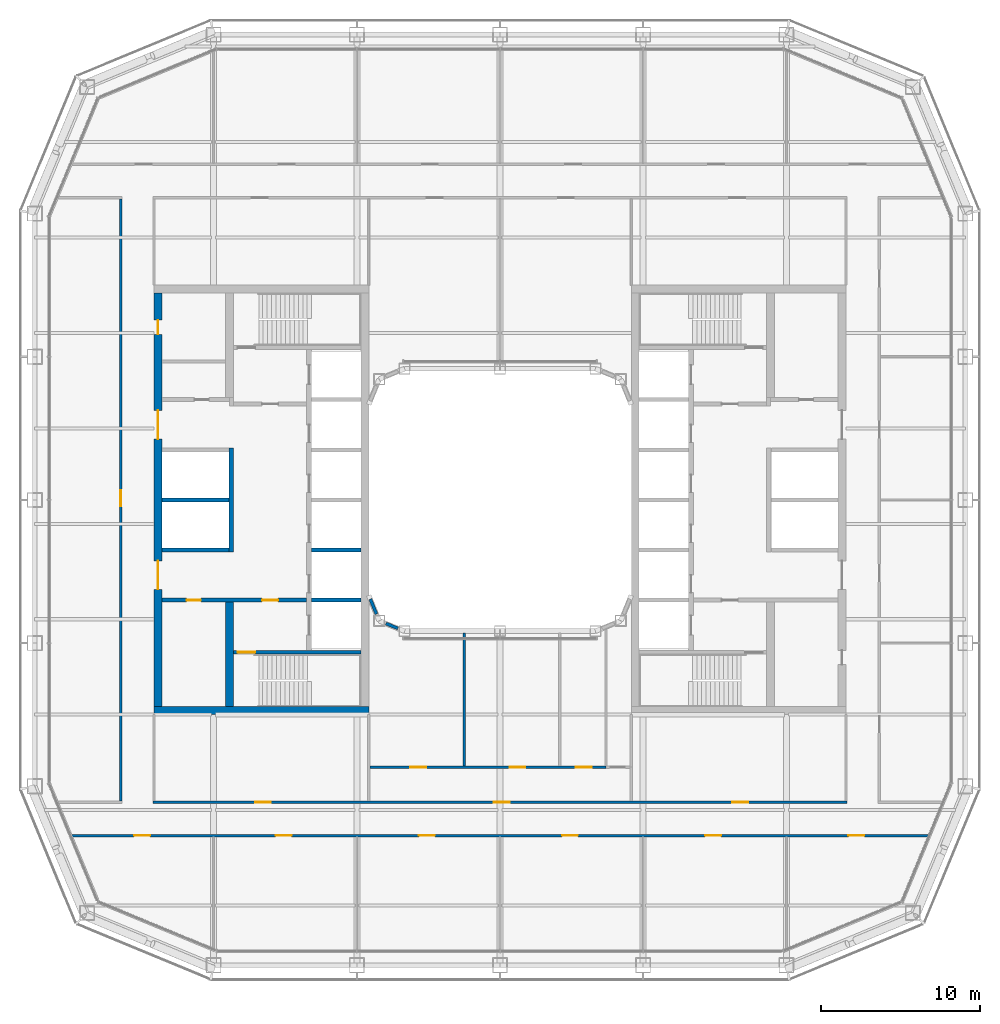
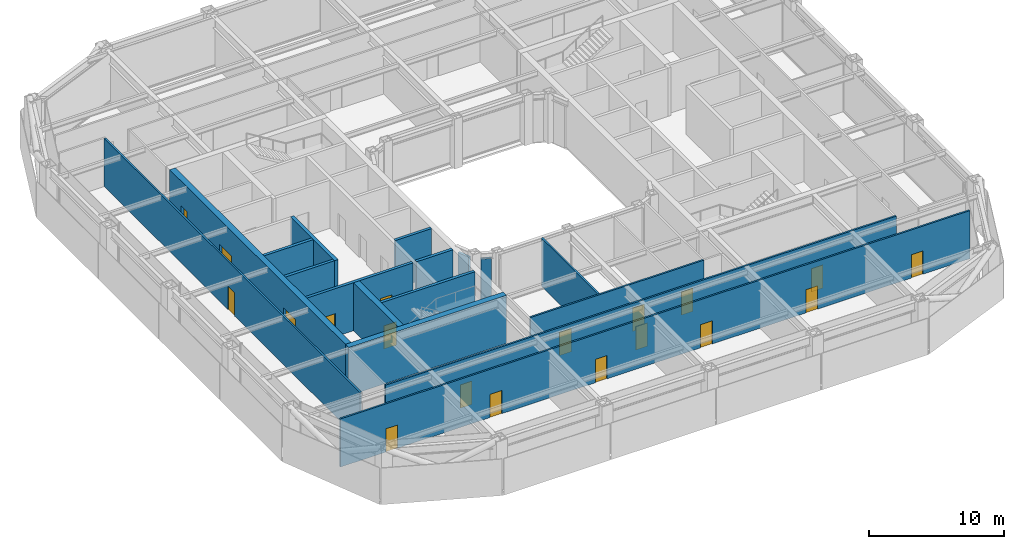
# One storey, part 11 of 21: 19 doors, 17 walls, 19 openings.
"""IFC4 building model written with IfcOpenShell, lengths in metres."""

import ifcopenshell
import ifcopenshell.guid

model = None  # the IFC model being written
_history = None  # IfcOwnerHistory: only IFC2X3 demands one
_inside = {}  # id of a spatial element -> (the spatial element, [elements in it])
_under = {}  # id of a project, library or spatial element -> (it, [spatial elements below it])
_declared = {}  # id of a project -> (the project, [libraries it declares])
_typed = {}  # id of a type object -> (the type object, [elements of that type])
_made_of = {}  # id of a material, layer set ... -> (it, [elements and type objects made of it])


def new_model(schema):
    """Start an empty IFC model of exactly this schema.

    Asked for "IFC4X3", IfcOpenShell would pick the latest addendum, in which some entities
    have other attributes; the version numbers below select the first issue.
    IFC2X3 requires an IfcOwnerHistory on every rooted entity: one is made here for all.
    """
    global model, _history
    if schema == "IFC4X3":
        model = ifcopenshell.file(schema_version=(4, 3, 0, 0))
    else:
        model = ifcopenshell.file(schema=schema)
    _inside.clear()
    _under.clear()
    _declared.clear()
    _typed.clear()
    _made_of.clear()
    _history = None
    if model.schema == "IFC2X3":
        org = make("IfcOrganization", Name="unknown")
        user = make(
            "IfcPersonAndOrganization",
            ThePerson=make("IfcPerson", FamilyName="unknown"),
            TheOrganization=org,
        )
        app = make(
            "IfcApplication",
            ApplicationDeveloper=org,
            Version="unknown",
            ApplicationFullName="unknown",
            ApplicationIdentifier="unknown",
        )
        _history = make(
            "IfcOwnerHistory",
            OwningUser=user,
            OwningApplication=app,
            ChangeAction="ADDED",
            CreationDate=0,
        )
    return model


def make(cls, **values):
    """One entity of the class cls with the attributes given. An attribute that is None is left unset."""
    return model.create_entity(
        cls, **{name: value for name, value in values.items() if value is not None}
    )


def rooted(cls, **values):
    """An entity with a GlobalId (a new one), such as an element, a storey or a relation."""
    return make(cls, GlobalId=ifcopenshell.guid.new(), OwnerHistory=_history, **values)


def si_unit(unit_type, name, prefix=None):
    """IfcSIUnit, for example si_unit("LENGTHUNIT", "METRE", prefix="MILLI")."""
    return make("IfcSIUnit", UnitType=unit_type, Prefix=prefix, Name=name)


def assignment(units):
    """IfcUnitAssignment: the units of a project."""
    return None if units is None else make("IfcUnitAssignment", Units=units)


def point(xyz):
    """IfcCartesianPoint."""
    return None if xyz is None else make("IfcCartesianPoint", Coordinates=xyz)


def direction(xyz):
    """IfcDirection."""
    return None if xyz is None else make("IfcDirection", DirectionRatios=xyz)


def frame(location, z_axis=None, x_axis=None):
    """IfcAxis2Placement3D, a coordinate frame: its origin and axes. An axis left out is left unset."""
    return make(
        "IfcAxis2Placement3D",
        Location=point(location),
        Axis=direction(z_axis),
        RefDirection=direction(x_axis),
    )


def frame_2d(location, x_axis=None):
    """IfcAxis2Placement2D, a coordinate frame in the plane: its origin and x axis."""
    return make(
        "IfcAxis2Placement2D", Location=point(location), RefDirection=direction(x_axis)
    )


def origin():
    """The frame at (0, 0, 0) with its axes left unset."""
    return frame((0.0, 0.0, 0.0))


def place(relative_to, where):
    """IfcLocalPlacement: puts the frame where relative to a parent placement (None: the world)."""
    return make(
        "IfcLocalPlacement", PlacementRelTo=relative_to, RelativePlacement=where
    )


def context(
    kind, dimensions, precision=None, world=None, true_north=None, identifier=None
):
    """IfcGeometricRepresentationContext, for example the 3D "Model" context."""
    return make(
        "IfcGeometricRepresentationContext",
        ContextIdentifier=identifier,
        ContextType=kind,
        CoordinateSpaceDimension=dimensions,
        Precision=precision,
        WorldCoordinateSystem=world,
        TrueNorth=true_north,
    )


def subcontext(parent, identifier, kind, view, scale=None):
    """IfcGeometricRepresentationSubContext, for example "Body" below "Model"."""
    return make(
        "IfcGeometricRepresentationSubContext",
        ContextIdentifier=identifier,
        ContextType=kind,
        ParentContext=parent,
        TargetScale=scale,
        TargetView=view,
    )


def project(units=None, contexts=None):
    """IfcProject with its units and contexts."""
    return rooted(
        "IfcProject",
        Name="project",
        RepresentationContexts=contexts,
        UnitsInContext=assignment(units),
    )


def spatial(cls, under=None, at=None, **own):
    """A site, building, storey or space (cls), placed at a placement, below another one or the project."""
    s = rooted(cls, ObjectPlacement=at, **own)
    if under is not None:
        _under.setdefault(under.id(), (under, []))[1].append(s)
    return s


def profile(cls, at=None, kind="AREA", **sizes):
    """A parametric profile (cls). Its sizes go by their IFC names, for example OverallWidth=200.0."""
    return make(cls, ProfileType=kind, Position=at, **sizes)


def rectangle(**sizes):
    """IfcRectangleProfileDef."""
    return profile("IfcRectangleProfileDef", **sizes)


def extrude(swept, where, along, depth):
    """IfcExtrudedAreaSolid: the profile swept, set in the frame where, extruded along a direction by depth."""
    return make(
        "IfcExtrudedAreaSolid",
        SweptArea=swept,
        Position=where,
        ExtrudedDirection=direction(along),
        Depth=depth,
    )


def shape(context_of_items, identifier, shape_type, items):
    """IfcShapeRepresentation: the items that make up one representation, for example the "Body"."""
    return make(
        "IfcShapeRepresentation",
        ContextOfItems=context_of_items,
        RepresentationIdentifier=identifier,
        RepresentationType=shape_type,
        Items=items,
    )


def material(Name=None, Category=None):
    """IfcMaterial."""
    return make("IfcMaterial", Name=Name, Category=Category)


def layer(
    of_material, thickness, ventilated=None, Name=None, Category=None, Priority=None
):
    """IfcMaterialLayer: one layer of a wall or slab, of a material (None: an air gap)."""
    return make(
        "IfcMaterialLayer",
        Material=of_material,
        LayerThickness=thickness,
        IsVentilated=ventilated,
        Name=Name,
        Category=Category,
        Priority=Priority,
    )


def layer_set(layers, Name=None):
    """IfcMaterialLayerSet."""
    return make("IfcMaterialLayerSet", MaterialLayers=layers, LayerSetName=Name)


def made_of(thing, what):
    """Note that an element or type object is made of a material, layer set ...; save() writes the relation."""
    if what is not None:
        _made_of.setdefault(what.id(), (what, []))[1].append(thing)
    return thing


def type_object(cls, material=None, **own):
    """A type object (cls), such as IfcWallType, which elements share."""
    return made_of(rooted(cls, **own), material)


def element(
    cls,
    number,
    at=None,
    inside=None,
    cuts=None,
    type_object=None,
    material=None,
    context=None,
    identifier="Body",
    shape_type=None,
    held_by="IfcProductDefinitionShape",
    body=None,
    shapes=None,
    **own,
):
    """One element of the class cls, such as IfcWall. Its Tag is "e" and its number.

    at: its placement. inside: the storey or other place that contains it. cuts: it is an
    opening in that element (IfcRelVoidsElement). A single representation is given by context,
    identifier, shape_type and body (its items); several are given by shapes. held_by: the class
    of the entity that holds the representations. save() writes the other relations.
    """
    e = rooted(cls, Tag="e%d" % number, ObjectPlacement=at, **own)
    if body is not None:
        shapes = [shape(context, identifier, shape_type, body)]
    if shapes is not None:
        e.Representation = make(held_by, Representations=shapes)
    if inside is not None:
        _inside.setdefault(inside.id(), (inside, []))[1].append(e)
    if cuts is not None:
        rooted(
            "IfcRelVoidsElement", RelatingBuildingElement=cuts, RelatedOpeningElement=e
        )
    if type_object is not None:
        _typed.setdefault(type_object.id(), (type_object, []))[1].append(e)
    return made_of(e, material)


def fill(opening, filler):
    """IfcRelFillsElement: the door or window that sits in an opening."""
    return rooted(
        "IfcRelFillsElement",
        RelatingOpeningElement=opening,
        RelatedBuildingElement=filler,
    )


def aggregate(whole, parts):
    """IfcRelAggregates: a whole, such as a stair, and the parts it consists of."""
    return rooted("IfcRelAggregates", RelatingObject=whole, RelatedObjects=parts)


def save(model, path):
    """Write the relations noted so far, then the file.

    IfcRelAggregates (storeys below a building ...), IfcRelContainedInSpatialStructure (elements
    in a storey), IfcRelDefinesByType, IfcRelAssociatesMaterial and IfcRelDeclares: one each for
    every whole, place, type object, material and project.
    """
    for whole, parts in _under.values():
        aggregate(whole, parts)
    for where, things in _inside.values():
        rooted(
            "IfcRelContainedInSpatialStructure",
            RelatedElements=things,
            RelatingStructure=where,
        )
    for kind, things in _typed.values():
        rooted("IfcRelDefinesByType", RelatedObjects=things, RelatingType=kind)
    for what, things in _made_of.values():
        rooted("IfcRelAssociatesMaterial", RelatedObjects=things, RelatingMaterial=what)
    for by, libraries in _declared.values():
        rooted("IfcRelDeclares", RelatingContext=by, RelatedDefinitions=libraries)
    model.write(path)


model = new_model("IFC4")

# Units and contexts
model_context = context("Model", 3, precision=1e-05, world=origin(), true_north=direction((0.0, 1.0)))
body_context = subcontext(model_context, "Body", "Model", "MODEL_VIEW")
ifc_project = project(units=[si_unit("LENGTHUNIT", "METRE"), si_unit("AREAUNIT", "SQUARE_METRE"), si_unit("VOLUMEUNIT", "CUBIC_METRE"), si_unit("PLANEANGLEUNIT", "RADIAN"), si_unit("MASSUNIT", "GRAM", prefix="KILO")], contexts=[model_context])

# Site, building, storey
site_placement = place(None, origin())
site = spatial("IfcSite", under=ifc_project, at=site_placement, CompositionType="ELEMENT")
building_placement = place(site_placement, origin())
building = spatial("IfcBuilding", under=site, at=building_placement, Name="Siwar Civic Tower", CompositionType="ELEMENT")
storey_placement = place(building_placement, frame((0.0, 0.0, 140.699951171875)))
storey = spatial("IfcBuildingStorey", under=building, at=storey_placement, Name="L30", CompositionType="ELEMENT", Elevation=140.699951171875)

# Wall, openings, doors
ifc_material_1 = material(Name="Concrete C60/75", Category="concrete")
ifc_layer_1 = layer(ifc_material_1, 0.25)
ifc_layer_set_1 = layer_set([ifc_layer_1], Name="Concrete C60/75")
wall_type_1 = type_object("IfcWallType", Name="CORE-WALL-RC250", PredefinedType="SHEAR", material=ifc_layer_set_1)
wall_1_placement = place(storey_placement, frame((-12.14990234375, -6.300048828125, 0.0), z_axis=(0.0, 0.0, 1.0), x_axis=(-1.0, 0.0, 0.0)))
wall_1 = element("IfcWall", 1, at=wall_1_placement, inside=storey, type_object=wall_type_1, Name="Core wall W", PredefinedType="SHEAR", context=body_context, shape_type="SweptSolid", body=[
    extrude(rectangle(XDim=9.10009765625, YDim=0.25, at=frame_2d((4.550048828125, 0.0))), origin(), (0.0, 0.0, 1.0), 4.35009765625),
])
opening_1_placement = place(wall_1_placement, frame((1.800048828125, 0.0, 0.0)))
opening_1 = element("IfcOpeningElement", 2, at=opening_1_placement, cuts=wall_1, Name="Opening L30-CW02", PredefinedType="OPENING", context=body_context, shape_type="SweptSolid", body=[
    extrude(rectangle(XDim=1.0, YDim=2.10009765625, at=frame_2d((0.5, 1.050048828125))), frame((0.0, 0.135009765625, 0.0), z_axis=(0.0, -1.0, 0.0), x_axis=(1.0, 0.0, 0.0)), (0.0, 0.0, 1.0), 0.27001953125),
])
opening_2_placement = place(wall_1_placement, frame((6.64990234375, 0.0, 0.0)))
opening_2 = element("IfcOpeningElement", 3, at=opening_2_placement, cuts=wall_1, Name="Opening L30-CW15", PredefinedType="OPENING", context=body_context, shape_type="SweptSolid", body=[
    extrude(rectangle(XDim=0.89990234375, YDim=2.10009765625, at=frame_2d((0.449951171875, 1.050048828125))), frame((0.0, 0.135009765625, 0.0), z_axis=(0.0, -1.0, 0.0), x_axis=(1.0, 0.0, 0.0)), (0.0, 0.0, 1.0), 0.27001953125),
])
ifc_material_2 = material(Name="Steel door leaf", Category="steel")
door_type_1 = type_object("IfcDoorType", Name="CORE-DOOR-FD30S", OperationType="SINGLE_SWING_LEFT", PredefinedType="DOOR", material=ifc_material_2)
door_1_placement = place(opening_1_placement, origin())
door_1 = element("IfcDoor", 4, at=door_1_placement, inside=storey, type_object=door_type_1, Name="Service lobby door L30-CW02", OperationType="SINGLE_SWING_RIGHT", OverallHeight=2.10009765625, OverallWidth=1.0, PredefinedType="DOOR", context=body_context, shape_type="SweptSolid", body=[
    extrude(rectangle(XDim=1.0, YDim=2.10009765625, at=frame_2d((0.5, 1.050048828125))), frame((0.0, 0.02490234375, 0.0), z_axis=(0.0, -1.0, 0.0), x_axis=(1.0, 0.0, 0.0)), (0.0, 0.0, 1.0), 0.050048828125),
])
fill(opening_1, door_1)
ifc_material_3 = material(Name="Steel door leaf", Category="steel")
door_type_2 = type_object("IfcDoorType", Name="CORE-DOOR-ROOM", OperationType="SINGLE_SWING_LEFT", PredefinedType="DOOR", material=ifc_material_3)
door_2_placement = place(opening_2_placement, origin())
door_2 = element("IfcDoor", 5, at=door_2_placement, inside=storey, type_object=door_type_2, Name="Core room door L30-CW15", OperationType="SINGLE_SWING_RIGHT", OverallHeight=2.10009765625, OverallWidth=0.89990234375, PredefinedType="DOOR", context=body_context, shape_type="SweptSolid", body=[
    extrude(rectangle(XDim=0.89990234375, YDim=2.10009765625, at=frame_2d((0.449951171875, 1.050048828125))), frame((0.0, 0.02490234375, 0.0), z_axis=(0.0, -1.0, 0.0), x_axis=(1.0, 0.0, 0.0)), (0.0, 0.0, 1.0), 0.050048828125),
])
fill(opening_2, door_2)

# Walls
for number, where, z_axis, x_axis, name in (
    (6, (-17.050048828125, 0.0, 0.0), (0.0, 0.0, 1.0), (-1.0, 0.0, 0.0), "Core wall W"),
    (7, (-17.050048828125, -3.14990234375, 0.0), (0.0, 0.0, 1.0), (-1.0, 0.0, 0.0), "Core wall W"),
):
    element("IfcWall", number, at=place(storey_placement, frame(where, z_axis=z_axis, x_axis=x_axis)), inside=storey, type_object=wall_type_1, Name=name, PredefinedType="SHEAR", context=body_context, shape_type="SweptSolid", body=[
        extrude(rectangle(XDim=4.199951171875, YDim=0.25, at=frame_2d((2.10009765625, 0.0))), origin(), (0.0, 0.0, 1.0), 4.35009765625),
    ])
for number, where, z_axis, x_axis, name in (
    (8, (-8.75, -3.14990234375, 0.0), (0.0, 0.0, 1.0), (-1.0, 0.0, 0.0), "Core wall W"),
    (9, (-8.75, -6.300048828125, 0.0), (0.0, 0.0, 1.0), (-1.0, 0.0, 0.0), "Core wall W"),
):
    element("IfcWall", number, at=place(storey_placement, frame(where, z_axis=z_axis, x_axis=x_axis)), inside=storey, type_object=wall_type_1, Name=name, PredefinedType="SHEAR", context=body_context, shape_type="SweptSolid", body=[
        extrude(rectangle(XDim=3.10009765625, YDim=0.25, at=frame_2d((1.550048828125, 0.0))), origin(), (0.0, 0.0, 1.0), 4.35009765625),
    ])

# Wall, opening, door
wall_2_placement = place(storey_placement, frame((-8.75, -9.574951171875, 0.0), z_axis=(0.0, 0.0, 1.0), x_axis=(-1.0, 0.0, 0.0)))
wall_2 = element("IfcWall", 10, at=wall_2_placement, inside=storey, type_object=wall_type_1, Name="Core wall W", PredefinedType="SHEAR", context=body_context, shape_type="SweptSolid", body=[
    extrude(rectangle(XDim=8.0, YDim=0.25, at=frame_2d((4.0, 0.0))), origin(), (0.0, 0.0, 1.0), 4.35009765625),
])
opening_3_placement = place(wall_2_placement, frame((6.64990234375, 0.0, 0.0)))
opening_3 = element("IfcOpeningElement", 11, at=opening_3_placement, cuts=wall_2, Name="Opening L30-CW04", PredefinedType="OPENING", context=body_context, shape_type="SweptSolid", body=[
    extrude(rectangle(XDim=1.10009765625, YDim=2.10009765625, at=frame_2d((0.550048828125, 1.050048828125))), frame((0.0, 0.135009765625, 0.0), z_axis=(0.0, -1.0, 0.0), x_axis=(1.0, 0.0, 0.0)), (0.0, 0.0, 1.0), 0.27001953125),
])
ifc_material_4 = material(Name="Steel door leaf", Category="steel")
door_type_3 = type_object("IfcDoorType", Name="CORE-DOOR-FD60S", OperationType="SINGLE_SWING_LEFT", PredefinedType="DOOR", material=ifc_material_4)
door_3_placement = place(opening_3_placement, origin())
door_3 = element("IfcDoor", 12, at=door_3_placement, inside=storey, type_object=door_type_3, Name="Stair door L30-CW04", OperationType="SINGLE_SWING_LEFT", OverallHeight=2.10009765625, OverallWidth=1.10009765625, PredefinedType="DOOR", context=body_context, shape_type="SweptSolid", body=[
    extrude(rectangle(XDim=1.10009765625, YDim=2.10009765625, at=frame_2d((0.550048828125, 1.050048828125))), frame((0.0, 0.02490234375, 0.0), z_axis=(0.0, -1.0, 0.0), x_axis=(1.0, 0.0, 0.0)), (0.0, 0.0, 1.0), 0.050048828125),
])
fill(opening_3, door_3)

# Wall
ifc_material_5 = material(Name="Concrete C60/75", Category="concrete")
ifc_layer_2 = layer(ifc_material_5, 0.300048828125)
ifc_layer_set_2 = layer_set([ifc_layer_2], Name="Concrete C60/75")
wall_type_2 = type_object("IfcWallType", Name="CORE-WALL-RC300", PredefinedType="SHEAR", material=ifc_layer_set_2)
wall_3_placement = place(storey_placement, frame((-16.89990234375, -3.27490234375, 0.0), z_axis=(0.0, 0.0, 1.0), x_axis=(0.0, 1.0, 0.0)))
element("IfcWall", 13, at=wall_3_placement, inside=storey, type_object=wall_type_2, Name="Core wall W", PredefinedType="SHEAR", context=body_context, shape_type="SweptSolid", body=[
    extrude(rectangle(XDim=6.5498046875, YDim=0.300048828125, at=frame_2d((3.27490234375, 0.0))), origin(), (0.0, 0.0, 1.0), 4.35009765625),
])

# Wall, openings, doors
ifc_material_6 = material(Name="Concrete C60/75", Category="concrete")
ifc_layer_3 = layer(ifc_material_6, 0.5)
ifc_layer_set_3 = layer_set([ifc_layer_3], Name="Concrete C60/75")
wall_type_3 = type_object("IfcWallType", Name="CORE-WALL-RC500", PredefinedType="SHEAR", material=ifc_layer_set_3)
wall_4_placement = place(storey_placement, frame((-21.5, -13.0, 0.0), z_axis=(0.0, 0.0, 1.0), x_axis=(0.0, 1.0, 0.0)))
wall_4 = element("IfcWall", 14, at=wall_4_placement, inside=storey, type_object=wall_type_3, Name="Core wall W", PredefinedType="SHEAR", context=body_context, shape_type="SweptSolid", body=[
    extrude(rectangle(XDim=26.0, YDim=0.5, at=frame_2d((13.0, 0.0))), origin(), (0.0, 0.0, 1.0), 4.35009765625),
])
opening_4_placement = place(wall_4_placement, frame((16.824951171875, 0.0, 0.0)))
opening_4 = element("IfcOpeningElement", 15, at=opening_4_placement, cuts=wall_4, Name="Opening L30-CW05", PredefinedType="OPENING", context=body_context, shape_type="SweptSolid", body=[
    extrude(rectangle(XDim=1.800048828125, YDim=2.10009765625, at=frame_2d((0.89990234375, 1.050048828125))), frame((0.0, 0.260009765625, 0.0), z_axis=(0.0, -1.0, 0.0), x_axis=(1.0, 0.0, 0.0)), (0.0, 0.0, 1.0), 0.52001953125),
])
opening_5_placement = place(wall_4_placement, frame((7.375, 0.0, 0.0)))
opening_5 = element("IfcOpeningElement", 16, at=opening_5_placement, cuts=wall_4, Name="Opening L30-CW06", PredefinedType="OPENING", context=body_context, shape_type="SweptSolid", body=[
    extrude(rectangle(XDim=1.800048828125, YDim=2.10009765625, at=frame_2d((0.89990234375, 1.050048828125))), frame((0.0, 0.260009765625, 0.0), z_axis=(0.0, -1.0, 0.0), x_axis=(1.0, 0.0, 0.0)), (0.0, 0.0, 1.0), 0.52001953125),
])
opening_6_placement = place(wall_4_placement, frame((23.39990234375, 0.0, 0.0)))
opening_6 = element("IfcOpeningElement", 17, at=opening_6_placement, cuts=wall_4, Name="Opening L30-CW14", PredefinedType="OPENING", context=body_context, shape_type="SweptSolid", body=[
    extrude(rectangle(XDim=0.89990234375, YDim=2.10009765625, at=frame_2d((0.449951171875, 1.050048828125))), frame((0.0, 0.260009765625, 0.0), z_axis=(0.0, -1.0, 0.0), x_axis=(1.0, 0.0, 0.0)), (0.0, 0.0, 1.0), 0.52001953125),
])
ifc_material_7 = material(Name="Steel door leaf", Category="steel")
door_type_4 = type_object("IfcDoorType", Name="CORE-DOOR-PORT", OperationType="DOUBLE_DOOR_DOUBLE_SWING", PredefinedType="DOOR", material=ifc_material_7)
door_4_placement = place(opening_4_placement, origin())
door_4 = element("IfcDoor", 18, at=door_4_placement, inside=storey, type_object=door_type_4, Name="Core entrance door L30-CW05", OperationType="DOUBLE_DOOR_DOUBLE_SWING", OverallHeight=2.10009765625, OverallWidth=1.800048828125, PredefinedType="DOOR", context=body_context, shape_type="SweptSolid", body=[
    extrude(rectangle(XDim=1.800048828125, YDim=2.10009765625, at=frame_2d((0.89990234375, 1.050048828125))), frame((0.0, 0.02490234375, 0.0), z_axis=(0.0, -1.0, 0.0), x_axis=(1.0, 0.0, 0.0)), (0.0, 0.0, 1.0), 0.050048828125),
])
fill(opening_4, door_4)
door_5_placement = place(opening_5_placement, origin())
door_5 = element("IfcDoor", 19, at=door_5_placement, inside=storey, type_object=door_type_4, Name="Core entrance door L30-CW06", OperationType="DOUBLE_DOOR_DOUBLE_SWING", OverallHeight=2.10009765625, OverallWidth=1.800048828125, PredefinedType="DOOR", context=body_context, shape_type="SweptSolid", body=[
    extrude(rectangle(XDim=1.800048828125, YDim=2.10009765625, at=frame_2d((0.89990234375, 1.050048828125))), frame((0.0, 0.02490234375, 0.0), z_axis=(0.0, -1.0, 0.0), x_axis=(1.0, 0.0, 0.0)), (0.0, 0.0, 1.0), 0.050048828125),
])
fill(opening_5, door_5)
door_6_placement = place(opening_6_placement, origin())
door_6 = element("IfcDoor", 20, at=door_6_placement, inside=storey, type_object=door_type_2, Name="Core room door L30-CW14", OperationType="SINGLE_SWING_LEFT", OverallHeight=2.10009765625, OverallWidth=0.89990234375, PredefinedType="DOOR", context=body_context, shape_type="SweptSolid", body=[
    extrude(rectangle(XDim=0.89990234375, YDim=2.10009765625, at=frame_2d((0.449951171875, 1.050048828125))), frame((0.0, 0.02490234375, 0.0), z_axis=(0.0, -1.0, 0.0), x_axis=(1.0, 0.0, 0.0)), (0.0, 0.0, 1.0), 0.050048828125),
])
fill(opening_6, door_6)

# Walls
wall_5_placement = place(storey_placement, frame((-17.0, -13.0, 0.0), z_axis=(0.0, 0.0, 1.0), x_axis=(0.0, 1.0, 0.0)))
element("IfcWall", 21, at=wall_5_placement, inside=storey, type_object=wall_type_3, Name="Core wall W", PredefinedType="SHEAR", context=body_context, shape_type="SweptSolid", body=[
    extrude(rectangle(XDim=6.574951171875, YDim=0.5, at=frame_2d((3.28759765625, 0.0))), origin(), (0.0, 0.0, 1.0), 4.35009765625),
])
wall_6_placement = place(storey_placement, frame((-8.25, -13.25, 0.0), z_axis=(0.0, 0.0, 1.0), x_axis=(-1.0, 0.0, 0.0)))
element("IfcWall", 22, at=wall_6_placement, inside=storey, type_object=wall_type_3, Name="Core wall W", PredefinedType="SHEAR", context=body_context, shape_type="SweptSolid", body=[
    extrude(rectangle(XDim=13.5, YDim=0.5, at=frame_2d((6.75, 0.0))), origin(), (0.0, 0.0, 1.0), 4.35009765625),
])

# Wall, openings, doors
ifc_material_8 = material(Name="Gypsum board on steel studs", Category="steel")
ifc_layer_4 = layer(ifc_material_8, 0.14990234375)
ifc_layer_set_4 = layer_set([ifc_layer_4], Name="Gypsum board on steel studs")
wall_type_4 = type_object("IfcWallType", Name="CORRIDOR PARTITION 150 EI 30", PredefinedType="PARTITIONING", material=ifc_layer_set_4)
wall_7_placement = place(storey_placement, frame((-26.89404296875, -21.10009765625, 0.0), z_axis=(0.0, 0.0, 1.0), x_axis=(1.0, 0.0, 0.0)))
wall_7 = element("IfcWall", 23, at=wall_7_placement, inside=storey, type_object=wall_type_4, Name="L30/wall/P01", PredefinedType="PARTITIONING", context=body_context, shape_type="SweptSolid", body=[
    extrude(rectangle(XDim=53.7880859375, YDim=0.14990234375, at=frame_2d((26.89404296875, 0.0))), origin(), (0.0, 0.0, 1.0), 4.35009765625),
])
opening_7_placement = place(wall_7_placement, frame((12.7939453125, 0.0, 0.0)))
opening_7 = element("IfcOpeningElement", 24, at=opening_7_placement, cuts=wall_7, Name="Opening D1", PredefinedType="OPENING", context=body_context, shape_type="SweptSolid", body=[
    extrude(rectangle(XDim=1.0, YDim=2.10009765625, at=frame_2d((0.5, 1.050048828125))), frame((0.0, 0.0849609375, 0.0), z_axis=(0.0, -1.0, 0.0), x_axis=(1.0, 0.0, 0.0)), (0.0, 0.0, 1.0), 0.169921875),
])
opening_8_placement = place(wall_7_placement, frame((21.7939453125, 0.0, 0.0)))
opening_8 = element("IfcOpeningElement", 25, at=opening_8_placement, cuts=wall_7, Name="Opening D1", PredefinedType="OPENING", context=body_context, shape_type="SweptSolid", body=[
    extrude(rectangle(XDim=1.0, YDim=2.10009765625, at=frame_2d((0.5, 1.050048828125))), frame((0.0, 0.0849609375, 0.0), z_axis=(0.0, -1.0, 0.0), x_axis=(1.0, 0.0, 0.0)), (0.0, 0.0, 1.0), 0.169921875),
])
opening_9_placement = place(wall_7_placement, frame((30.7939453125, 0.0, 0.0)))
opening_9 = element("IfcOpeningElement", 26, at=opening_9_placement, cuts=wall_7, Name="Opening D1", PredefinedType="OPENING", context=body_context, shape_type="SweptSolid", body=[
    extrude(rectangle(XDim=1.0, YDim=2.10009765625, at=frame_2d((0.5, 1.050048828125))), frame((0.0, 0.0849609375, 0.0), z_axis=(0.0, -1.0, 0.0), x_axis=(1.0, 0.0, 0.0)), (0.0, 0.0, 1.0), 0.169921875),
])
opening_10_placement = place(wall_7_placement, frame((39.7939453125, 0.0, 0.0)))
opening_10 = element("IfcOpeningElement", 27, at=opening_10_placement, cuts=wall_7, Name="Opening D1", PredefinedType="OPENING", context=body_context, shape_type="SweptSolid", body=[
    extrude(rectangle(XDim=1.0, YDim=2.10009765625, at=frame_2d((0.5, 1.050048828125))), frame((0.0, 0.0849609375, 0.0), z_axis=(0.0, -1.0, 0.0), x_axis=(1.0, 0.0, 0.0)), (0.0, 0.0, 1.0), 0.169921875),
])
opening_11_placement = place(wall_7_placement, frame((3.89990234375, 0.0, 0.0)))
opening_11 = element("IfcOpeningElement", 28, at=opening_11_placement, cuts=wall_7, Name="Opening D1", PredefinedType="OPENING", context=body_context, shape_type="SweptSolid", body=[
    extrude(rectangle(XDim=1.0, YDim=2.10009765625, at=frame_2d((0.5, 1.050048828125))), frame((0.0, 0.0849609375, 0.0), z_axis=(0.0, -1.0, 0.0), x_axis=(1.0, 0.0, 0.0)), (0.0, 0.0, 1.0), 0.169921875),
])
opening_12_placement = place(wall_7_placement, frame((48.7939453125, 0.0, 0.0)))
opening_12 = element("IfcOpeningElement", 29, at=opening_12_placement, cuts=wall_7, Name="Opening D1", PredefinedType="OPENING", context=body_context, shape_type="SweptSolid", body=[
    extrude(rectangle(XDim=1.0, YDim=2.10009765625, at=frame_2d((0.5, 1.050048828125))), frame((0.0, 0.0849609375, 0.0), z_axis=(0.0, -1.0, 0.0), x_axis=(1.0, 0.0, 0.0)), (0.0, 0.0, 1.0), 0.169921875),
])
ifc_material_9 = material(Name="Timber, painted", Category="wood")
door_type_5 = type_object("IfcDoorType", Name="DOOR 1000 X 2100 FD30", OperationType="SINGLE_SWING_LEFT", PredefinedType="DOOR", material=ifc_material_9)
door_7_placement = place(opening_7_placement, origin())
door_7 = element("IfcDoor", 30, at=door_7_placement, inside=storey, type_object=door_type_5, Name="L30-D05", OperationType="SINGLE_SWING_LEFT", OverallHeight=2.10009765625, OverallWidth=1.0, PredefinedType="DOOR", context=body_context, shape_type="SweptSolid", body=[
    extrude(rectangle(XDim=1.0, YDim=2.10009765625, at=frame_2d((0.5, 1.050048828125))), frame((0.0, 0.02490234375, 0.0), z_axis=(0.0, -1.0, 0.0), x_axis=(1.0, 0.0, 0.0)), (0.0, 0.0, 1.0), 0.050048828125),
])
fill(opening_7, door_7)
door_8_placement = place(opening_8_placement, origin())
door_8 = element("IfcDoor", 31, at=door_8_placement, inside=storey, type_object=door_type_5, Name="L30-D06", OperationType="SINGLE_SWING_RIGHT", OverallHeight=2.10009765625, OverallWidth=1.0, PredefinedType="DOOR", context=body_context, shape_type="SweptSolid", body=[
    extrude(rectangle(XDim=1.0, YDim=2.10009765625, at=frame_2d((0.5, 1.050048828125))), frame((0.0, 0.02490234375, 0.0), z_axis=(0.0, -1.0, 0.0), x_axis=(1.0, 0.0, 0.0)), (0.0, 0.0, 1.0), 0.050048828125),
])
fill(opening_8, door_8)
door_9_placement = place(opening_9_placement, origin())
door_9 = element("IfcDoor", 32, at=door_9_placement, inside=storey, type_object=door_type_5, Name="L30-D07", OperationType="SINGLE_SWING_LEFT", OverallHeight=2.10009765625, OverallWidth=1.0, PredefinedType="DOOR", context=body_context, shape_type="SweptSolid", body=[
    extrude(rectangle(XDim=1.0, YDim=2.10009765625, at=frame_2d((0.5, 1.050048828125))), frame((0.0, 0.02490234375, 0.0), z_axis=(0.0, -1.0, 0.0), x_axis=(1.0, 0.0, 0.0)), (0.0, 0.0, 1.0), 0.050048828125),
])
fill(opening_9, door_9)
door_10_placement = place(opening_10_placement, origin())
door_10 = element("IfcDoor", 33, at=door_10_placement, inside=storey, type_object=door_type_5, Name="L30-D08", OperationType="SINGLE_SWING_RIGHT", OverallHeight=2.10009765625, OverallWidth=1.0, PredefinedType="DOOR", context=body_context, shape_type="SweptSolid", body=[
    extrude(rectangle(XDim=1.0, YDim=2.10009765625, at=frame_2d((0.5, 1.050048828125))), frame((0.0, 0.02490234375, 0.0), z_axis=(0.0, -1.0, 0.0), x_axis=(1.0, 0.0, 0.0)), (0.0, 0.0, 1.0), 0.050048828125),
])
fill(opening_10, door_10)
door_11_placement = place(opening_11_placement, origin())
door_11 = element("IfcDoor", 34, at=door_11_placement, inside=storey, type_object=door_type_5, Name="L30-D11", OperationType="SINGLE_SWING_LEFT", OverallHeight=2.10009765625, OverallWidth=1.0, PredefinedType="DOOR", context=body_context, shape_type="SweptSolid", body=[
    extrude(rectangle(XDim=1.0, YDim=2.10009765625, at=frame_2d((0.5, 1.050048828125))), frame((0.0, 0.02490234375, 0.0), z_axis=(0.0, -1.0, 0.0), x_axis=(1.0, 0.0, 0.0)), (0.0, 0.0, 1.0), 0.050048828125),
])
fill(opening_11, door_11)
door_12_placement = place(opening_12_placement, origin())
door_12 = element("IfcDoor", 35, at=door_12_placement, inside=storey, type_object=door_type_5, Name="L30-D12", OperationType="SINGLE_SWING_RIGHT", OverallHeight=2.10009765625, OverallWidth=1.0, PredefinedType="DOOR", context=body_context, shape_type="SweptSolid", body=[
    extrude(rectangle(XDim=1.0, YDim=2.10009765625, at=frame_2d((0.5, 1.050048828125))), frame((0.0, 0.02490234375, 0.0), z_axis=(0.0, -1.0, 0.0), x_axis=(1.0, 0.0, 0.0)), (0.0, 0.0, 1.0), 0.050048828125),
])
fill(opening_12, door_12)

wall_8_placement = place(storey_placement, frame((-21.824951171875, -19.0, 0.0), z_axis=(0.0, 0.0, 1.0), x_axis=(1.0, 0.0, 0.0)))
wall_8 = element("IfcWall", 36, at=wall_8_placement, inside=storey, type_object=wall_type_4, Name="L30/wall/P03", PredefinedType="PARTITIONING", context=body_context, shape_type="SweptSolid", body=[
    extrude(rectangle(XDim=43.64990234375, YDim=0.14990234375, at=frame_2d((21.824951171875, 0.0))), origin(), (0.0, 0.0, 1.0), 4.35009765625),
])
opening_13_placement = place(wall_8_placement, frame((21.425048828125, 0.0, 0.0)))
opening_13 = element("IfcOpeningElement", 37, at=opening_13_placement, cuts=wall_8, Name="Opening D1", PredefinedType="OPENING", context=body_context, shape_type="SweptSolid", body=[
    extrude(rectangle(XDim=1.0, YDim=2.10009765625, at=frame_2d((0.5, 1.050048828125))), frame((0.0, 0.0849609375, 0.0), z_axis=(0.0, -1.0, 0.0), x_axis=(1.0, 0.0, 0.0)), (0.0, 0.0, 1.0), 0.169921875),
])
opening_14_placement = place(wall_8_placement, frame((6.425048828125, 0.0, 0.0)))
opening_14 = element("IfcOpeningElement", 38, at=opening_14_placement, cuts=wall_8, Name="Opening D1", PredefinedType="OPENING", context=body_context, shape_type="SweptSolid", body=[
    extrude(rectangle(XDim=1.0, YDim=2.10009765625, at=frame_2d((0.5, 1.050048828125))), frame((0.0, 0.0849609375, 0.0), z_axis=(0.0, -1.0, 0.0), x_axis=(1.0, 0.0, 0.0)), (0.0, 0.0, 1.0), 0.169921875),
])
opening_15_placement = place(wall_8_placement, frame((36.425048828125, 0.0, 0.0)))
opening_15 = element("IfcOpeningElement", 39, at=opening_15_placement, cuts=wall_8, Name="Opening D1", PredefinedType="OPENING", context=body_context, shape_type="SweptSolid", body=[
    extrude(rectangle(XDim=1.0, YDim=2.10009765625, at=frame_2d((0.5, 1.050048828125))), frame((0.0, 0.0849609375, 0.0), z_axis=(0.0, -1.0, 0.0), x_axis=(1.0, 0.0, 0.0)), (0.0, 0.0, 1.0), 0.169921875),
])
door_13_placement = place(opening_13_placement, origin())
door_13 = element("IfcDoor", 40, at=door_13_placement, inside=storey, type_object=door_type_5, Name="L30-D15", OperationType="SINGLE_SWING_LEFT", OverallHeight=2.10009765625, OverallWidth=1.0, PredefinedType="DOOR", context=body_context, shape_type="SweptSolid", body=[
    extrude(rectangle(XDim=1.0, YDim=2.10009765625, at=frame_2d((0.5, 1.050048828125))), frame((0.0, 0.02490234375, 0.0), z_axis=(0.0, -1.0, 0.0), x_axis=(1.0, 0.0, 0.0)), (0.0, 0.0, 1.0), 0.050048828125),
])
fill(opening_13, door_13)
door_14_placement = place(opening_14_placement, origin())
door_14 = element("IfcDoor", 41, at=door_14_placement, inside=storey, type_object=door_type_5, Name="L30-D22", OperationType="SINGLE_SWING_RIGHT", OverallHeight=2.10009765625, OverallWidth=1.0, PredefinedType="DOOR", context=body_context, shape_type="SweptSolid", body=[
    extrude(rectangle(XDim=1.0, YDim=2.10009765625, at=frame_2d((0.5, 1.050048828125))), frame((0.0, 0.02490234375, 0.0), z_axis=(0.0, -1.0, 0.0), x_axis=(1.0, 0.0, 0.0)), (0.0, 0.0, 1.0), 0.050048828125),
])
fill(opening_14, door_14)
door_15_placement = place(opening_15_placement, origin())
door_15 = element("IfcDoor", 42, at=door_15_placement, inside=storey, type_object=door_type_5, Name="L30-D23", OperationType="SINGLE_SWING_LEFT", OverallHeight=2.10009765625, OverallWidth=1.0, PredefinedType="DOOR", context=body_context, shape_type="SweptSolid", body=[
    extrude(rectangle(XDim=1.0, YDim=2.10009765625, at=frame_2d((0.5, 1.050048828125))), frame((0.0, 0.02490234375, 0.0), z_axis=(0.0, -1.0, 0.0), x_axis=(1.0, 0.0, 0.0)), (0.0, 0.0, 1.0), 0.050048828125),
])
fill(opening_15, door_15)

wall_9_placement = place(storey_placement, frame((-8.175048828125, -16.800048828125, 0.0), z_axis=(0.0, 0.0, 1.0), x_axis=(1.0, 0.0, 0.0)))
wall_9 = element("IfcWall", 43, at=wall_9_placement, inside=storey, type_object=wall_type_4, Name="L30/wall/P05", PredefinedType="PARTITIONING", context=body_context, shape_type="SweptSolid", body=[
    extrude(rectangle(XDim=14.8349609375, YDim=0.14990234375, at=frame_2d((7.41748046875, 0.0))), origin(), (0.0, 0.0, 1.0), 4.35009765625),
])
opening_16_placement = place(wall_9_placement, frame((2.52490234375, 0.0, 0.0)))
opening_16 = element("IfcOpeningElement", 44, at=opening_16_placement, cuts=wall_9, Name="Opening D3", PredefinedType="OPENING", context=body_context, shape_type="SweptSolid", body=[
    extrude(rectangle(XDim=1.0, YDim=2.10009765625, at=frame_2d((0.5, 1.050048828125))), frame((0.0, 0.0849609375, 0.0), z_axis=(0.0, -1.0, 0.0), x_axis=(1.0, 0.0, 0.0)), (0.0, 0.0, 1.0), 0.169921875),
])
opening_17_placement = place(wall_9_placement, frame((8.77490234375, 0.0, 0.0)))
opening_17 = element("IfcOpeningElement", 45, at=opening_17_placement, cuts=wall_9, Name="Opening D3", PredefinedType="OPENING", context=body_context, shape_type="SweptSolid", body=[
    extrude(rectangle(XDim=1.0, YDim=2.10009765625, at=frame_2d((0.5, 1.050048828125))), frame((0.0, 0.0849609375, 0.0), z_axis=(0.0, -1.0, 0.0), x_axis=(1.0, 0.0, 0.0)), (0.0, 0.0, 1.0), 0.169921875),
])
opening_18_placement = place(wall_9_placement, frame((12.93505859375, 0.0, 0.0)))
opening_18 = element("IfcOpeningElement", 46, at=opening_18_placement, cuts=wall_9, Name="Opening D3", PredefinedType="OPENING", context=body_context, shape_type="SweptSolid", body=[
    extrude(rectangle(XDim=1.0, YDim=2.10009765625, at=frame_2d((0.5, 1.050048828125))), frame((0.0, 0.0849609375, 0.0), z_axis=(0.0, -1.0, 0.0), x_axis=(1.0, 0.0, 0.0)), (0.0, 0.0, 1.0), 0.169921875),
])
ifc_material_10 = material(Name="Timber, painted", Category="wood")
door_type_6 = type_object("IfcDoorType", Name="DOOR 1000 X 2100 WC", OperationType="SINGLE_SWING_LEFT", PredefinedType="DOOR", material=ifc_material_10)
door_16_placement = place(opening_16_placement, origin())
door_16 = element("IfcDoor", 47, at=door_16_placement, inside=storey, type_object=door_type_6, Name="L30-D16", OperationType="SINGLE_SWING_RIGHT", OverallHeight=2.10009765625, OverallWidth=1.0, PredefinedType="DOOR", context=body_context, shape_type="SweptSolid", body=[
    extrude(rectangle(XDim=1.0, YDim=2.10009765625, at=frame_2d((0.5, 1.050048828125))), frame((0.0, 0.02490234375, 0.0), z_axis=(0.0, -1.0, 0.0), x_axis=(1.0, 0.0, 0.0)), (0.0, 0.0, 1.0), 0.050048828125),
])
fill(opening_16, door_16)
door_17_placement = place(opening_17_placement, origin())
door_17 = element("IfcDoor", 48, at=door_17_placement, inside=storey, type_object=door_type_6, Name="L30-D17", OperationType="SINGLE_SWING_LEFT", OverallHeight=2.10009765625, OverallWidth=1.0, PredefinedType="DOOR", context=body_context, shape_type="SweptSolid", body=[
    extrude(rectangle(XDim=1.0, YDim=2.10009765625, at=frame_2d((0.5, 1.050048828125))), frame((0.0, 0.02490234375, 0.0), z_axis=(0.0, -1.0, 0.0), x_axis=(1.0, 0.0, 0.0)), (0.0, 0.0, 1.0), 0.050048828125),
])
fill(opening_17, door_17)
door_18_placement = place(opening_18_placement, origin())
door_18 = element("IfcDoor", 49, at=door_18_placement, inside=storey, type_object=door_type_6, Name="L30-D18", OperationType="SINGLE_SWING_RIGHT", OverallHeight=2.10009765625, OverallWidth=1.0, PredefinedType="DOOR", context=body_context, shape_type="SweptSolid", body=[
    extrude(rectangle(XDim=1.0, YDim=2.10009765625, at=frame_2d((0.5, 1.050048828125))), frame((0.0, 0.02490234375, 0.0), z_axis=(0.0, -1.0, 0.0), x_axis=(1.0, 0.0, 0.0)), (0.0, 0.0, 1.0), 0.050048828125),
])
fill(opening_18, door_18)

# Wall, opening, door
wall_10_placement = place(storey_placement, frame((-23.85009765625, -18.925048828125, 0.0), z_axis=(0.0, 0.0, 1.0), x_axis=(0.0, 1.0, 0.0)))
wall_10 = element("IfcWall", 50, at=wall_10_placement, inside=storey, type_object=wall_type_4, Name="L30/wall/P14", PredefinedType="PARTITIONING", context=body_context, shape_type="SweptSolid", body=[
    extrude(rectangle(XDim=37.85009765625, YDim=0.14990234375, at=frame_2d((18.925048828125, 0.0))), origin(), (0.0, 0.0, 1.0), 4.35009765625),
])
opening_19_placement = place(wall_10_placement, frame((18.52490234375, 0.0, 0.0)))
opening_19 = element("IfcOpeningElement", 51, at=opening_19_placement, cuts=wall_10, Name="Opening D1", PredefinedType="OPENING", context=body_context, shape_type="SweptSolid", body=[
    extrude(rectangle(XDim=1.0, YDim=2.10009765625, at=frame_2d((0.5, 1.050048828125))), frame((0.0, 0.0849609375, 0.0), z_axis=(0.0, -1.0, 0.0), x_axis=(1.0, 0.0, 0.0)), (0.0, 0.0, 1.0), 0.169921875),
])
door_19_placement = place(opening_19_placement, origin())
door_19 = element("IfcDoor", 52, at=door_19_placement, inside=storey, type_object=door_type_5, Name="L30-D24", OperationType="SINGLE_SWING_RIGHT", OverallHeight=2.10009765625, OverallWidth=1.0, PredefinedType="DOOR", context=body_context, shape_type="SweptSolid", body=[
    extrude(rectangle(XDim=1.0, YDim=2.10009765625, at=frame_2d((0.5, 1.050048828125))), frame((0.0, 0.02490234375, 0.0), z_axis=(0.0, -1.0, 0.0), x_axis=(1.0, 0.0, 0.0)), (0.0, 0.0, 1.0), 0.050048828125),
])
fill(opening_19, door_19)

# Walls
wall_11_placement = place(storey_placement, frame((-2.25, -16.72509765625, 0.0), z_axis=(0.0, 0.0, 1.0), x_axis=(0.0, 1.0, 0.0)))
element("IfcWall", 53, at=wall_11_placement, inside=storey, type_object=wall_type_4, Name="L30/wall/P23", PredefinedType="PARTITIONING", context=body_context, shape_type="SweptSolid", body=[
    extrude(rectangle(XDim=8.35498046875, YDim=0.14990234375, at=frame_2d((4.177490234375, 0.0))), origin(), (0.0, 0.0, 1.0), 4.35009765625),
])
ifc_material_11 = material(Name="Aluminium clad insulated panel", Category="aluminium")
ifc_layer_5 = layer(ifc_material_11, 0.199951171875)
ifc_layer_set_5 = layer_set([ifc_layer_5], Name="Aluminium clad insulated panel")
wall_type_5 = type_object("IfcWallType", Name="ENV-WALL-WELL", PredefinedType="STANDARD", material=ifc_layer_set_5)
wall_12_placement = place(storey_placement, frame((-8.154296875, -6.23095703125, 0.0), z_axis=(0.0, 0.0, 1.0), x_axis=(0.382769662028, -0.923843810301, 0.0)))
element("IfcWall", 54, at=wall_12_placement, inside=storey, type_object=wall_type_5, Name="Light well corner wall SW1", PredefinedType="STANDARD", context=body_context, shape_type="SweptSolid", body=[
    extrude(rectangle(XDim=1.014892578125, YDim=0.199951171875, at=frame_2d((0.50732421875, 0.0))), origin(), (0.0, 0.0, 1.0), 3.825927734375),
])
wall_13_placement = place(storey_placement, frame((-7.16845703125, -7.765869140625, 0.0), z_axis=(0.0, 0.0, 1.0), x_axis=(0.923817771127, -0.382832503518, 0.0)))
element("IfcWall", 55, at=wall_13_placement, inside=storey, type_object=wall_type_5, Name="Light well corner wall SW2", PredefinedType="STANDARD", context=body_context, shape_type="SweptSolid", body=[
    extrude(rectangle(XDim=0.807373046875, YDim=0.199951171875, at=frame_2d((0.40380859375, 0.0))), origin(), (0.0, 0.0, 1.0), 3.825927734375),
])

save(model, "model.ifc")
